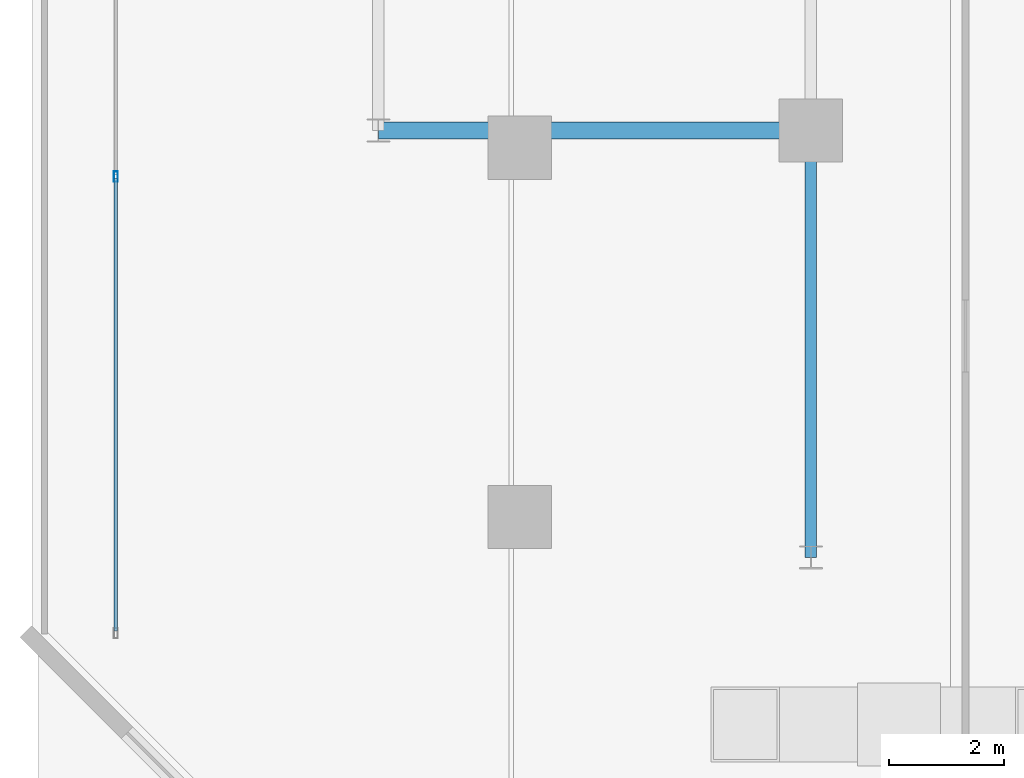
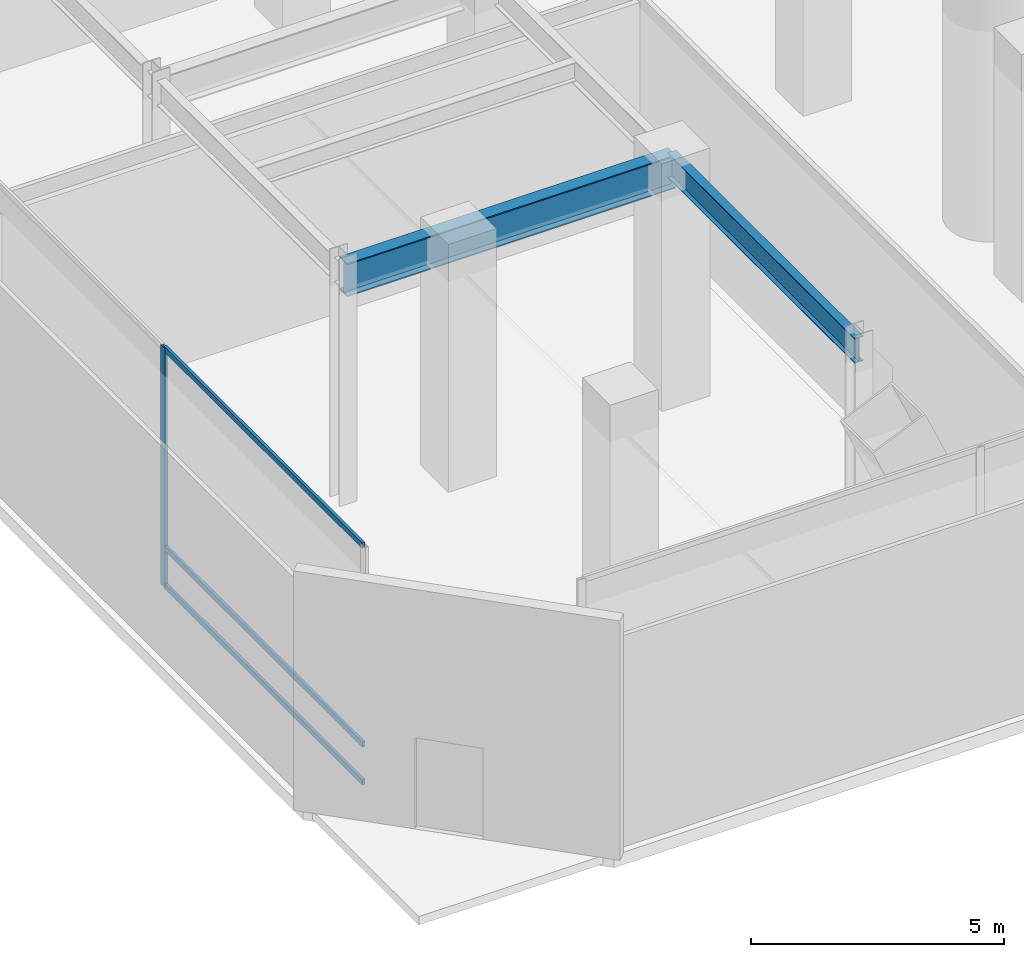
# One storey, part 6 of 40: 4 members, 2 beams, 1 element without a shape of its own.
"""IFC4 building model written with IfcOpenShell, lengths in metres."""

from ifc_helpers import new_model, si_unit, direction, frame, origin, origin_2d, place, context, subcontext, project, spatial, hollow_rectangle, i_section, extrude, material, layer, layer_set, material_profile, profile_set, type_object, element, aggregate, save


model = new_model("IFC4")

# Units and contexts
model_context = context("Model", 3, precision=1e-05, world=origin(), true_north=direction((0.0, 1.0)))
body_context = subcontext(model_context, "Body", "Model", "MODEL_VIEW")
ifc_project = project(units=[si_unit("LENGTHUNIT", "METRE"), si_unit("AREAUNIT", "SQUARE_METRE"), si_unit("VOLUMEUNIT", "CUBIC_METRE"), si_unit("PLANEANGLEUNIT", "RADIAN"), si_unit("MASSUNIT", "GRAM", prefix="KILO")], contexts=[model_context])

# Site, building, storey
site_placement = place(None, origin())
site = spatial("IfcSite", under=ifc_project, at=site_placement, CompositionType="ELEMENT")
building_placement = place(site_placement, origin())
building = spatial("IfcBuilding", under=site, at=building_placement, Name="Qianvela Tower", CompositionType="ELEMENT")
storey_placement = place(building_placement, origin())
storey = spatial("IfcBuildingStorey", under=building, at=storey_placement, Name="L00", CompositionType="ELEMENT", Elevation=0.0)

# Beams
ifc_material_1 = material(Name="Steel Q355B", Category="steel")
ifc_material_profile_1 = material_profile(ifc_material_1, i_section(OverallWidth=0.199951171875, OverallDepth=0.60009765625, WebThickness=0.010986328125, FlangeThickness=0.01708984375, at=origin_2d()), Name="HN600x200x11x17")
ifc_profile_set_1 = profile_set([ifc_material_profile_1], Name="Steel Q355B")
beam_type_1 = type_object("IfcBeamType", Name="BM-HN600-GIRD", PredefinedType="BEAM", material=ifc_profile_set_1)
beam_1_placement = place(storey_placement, frame((15.0, 7.39990234375, 5.47802734375), z_axis=(0.0, 1.0, 0.0), x_axis=(-1.0, 0.0, 0.0)))
element("IfcBeam", 1, at=beam_1_placement, inside=storey, type_object=beam_type_1, Name="L00 North-South Grid Girder 19", PredefinedType="BEAM", context=body_context, shape_type="SweptSolid", body=[
    extrude(i_section(OverallWidth=0.199951171875, OverallDepth=0.60009765625, WebThickness=0.010986328125, FlangeThickness=0.01708984375, at=origin_2d()), origin(), (0.0, 0.0, 1.0), 7.400146484375),
])
ifc_material_2 = material(Name="Steel Q355B", Category="steel")
ifc_material_profile_2 = material_profile(ifc_material_2, i_section(OverallWidth=0.300048828125, OverallDepth=0.800048828125, WebThickness=0.013916015625, FlangeThickness=0.02587890625, at=origin_2d()), Name="HN800x300x14x26")
ifc_profile_set_2 = profile_set([ifc_material_profile_2], Name="Steel Q355B")
beam_type_2 = type_object("IfcBeamType", Name="BM-HN800-SPAND", PredefinedType="SPANDREL", material=ifc_profile_set_2)
beam_2_placement = place(storey_placement, frame((7.5, 14.800048828125, 5.3779296875), z_axis=(1.0, 0.0, 0.0), x_axis=(0.0, 1.0, 0.0)))
element("IfcBeam", 2, at=beam_2_placement, inside=storey, type_object=beam_type_2, Name="L00 East-West Grid Girder 1", PredefinedType="SPANDREL", context=body_context, shape_type="SweptSolid", body=[
    extrude(i_section(OverallWidth=0.300048828125, OverallDepth=0.800048828125, WebThickness=0.013916015625, FlangeThickness=0.02587890625, at=origin_2d()), origin(), (0.0, 0.0, 1.0), 7.5),
])

# Curtain wall, members
ifc_material_3 = material(Name="Anodised Architectural Aluminium and Low-E Glass", Category="aluminium")
ifc_layer = layer(ifc_material_3, 0.199951171875)
ifc_layer_set = layer_set([ifc_layer], Name="Anodised Architectural Aluminium and Low-E Glass")
curtain_wall_type = type_object("IfcCurtainWallType", Name="CW-CONCOURSE", PredefinedType="USERDEFINED", material=ifc_layer_set)
curtain_wall_placement = place(storey_placement, origin())
curtain_wall = element("IfcCurtainWall", 3, at=curtain_wall_placement, inside=storey, type_object=curtain_wall_type, Name="L00 CW-CONCOURSE Curtain Wall 07B", ObjectType="CURTAIN_WALL_SYSTEM", PredefinedType="USERDEFINED")
ifc_material_4 = material(Name="Anodised Architectural Aluminium 6063-T6", Category="aluminium")
ifc_material_profile_3 = material_profile(ifc_material_4, hollow_rectangle(XDim=0.070068359375, YDim=0.179931640625, WallThickness=0.0048828125, at=origin_2d()), Name="ALU-MULL-70x180")
ifc_profile_set_3 = profile_set([ifc_material_profile_3], Name="Anodised Architectural Aluminium 6063-T6")
member_type_1 = type_object("IfcMemberType", Name="CW-CONCOURSE-MULL", PredefinedType="MULLION", material=ifc_profile_set_3)
member_1_placement = place(storey_placement, frame((2.949951171875, 14.0, 0.0), z_axis=(0.0, 0.0, 1.0), x_axis=(1.0, 0.0, 0.0)))
member_1 = element("IfcMember", 4, at=member_1_placement, type_object=member_type_1, Name="CW-1 mullion 2", PredefinedType="MULLION", context=body_context, shape_type="SweptSolid", body=[
    extrude(hollow_rectangle(XDim=0.070068359375, YDim=0.179931640625, WallThickness=0.0048828125, at=origin_2d()), origin(), (0.0, 0.0, 1.0), 5.780029296875),
])
ifc_material_5 = material(Name="Anodised Architectural Aluminium 6063-T6", Category="aluminium")
ifc_material_profile_4 = material_profile(ifc_material_5, hollow_rectangle(XDim=0.06494140625, YDim=0.1298828125, WallThickness=0.00439453125, at=origin_2d()), Name="ALU-TRAN-65x130")
ifc_profile_set_4 = profile_set([ifc_material_profile_4], Name="Anodised Architectural Aluminium 6063-T6")
member_type_2 = type_object("IfcMemberType", Name="CW-CONCOURSE-TRAN", PredefinedType="USERDEFINED", material=ifc_profile_set_4)
member_2_placement = place(storey_placement, frame((2.949951171875, 13.965087890625, 0.032470703125), z_axis=(0.0, -1.0, 0.0), x_axis=(1.0, 0.0, 0.0)))
member_2 = element("IfcMember", 5, at=member_2_placement, type_object=member_type_2, Name="CW-1 transom 2.1", ObjectType="TRANSOM", PredefinedType="USERDEFINED", context=body_context, shape_type="SweptSolid", body=[
    extrude(hollow_rectangle(XDim=0.06494140625, YDim=0.1298828125, WallThickness=0.00439453125, at=origin_2d()), origin(), (0.0, 0.0, 1.0), 7.844970703125),
])
member_3_placement = place(storey_placement, frame((2.949951171875, 13.965087890625, 0.949951171875), z_axis=(0.0, -1.0, 0.0), x_axis=(1.0, 0.0, 0.0)))
member_3 = element("IfcMember", 6, at=member_3_placement, type_object=member_type_2, Name="CW-1 transom 2.2", ObjectType="TRANSOM", PredefinedType="USERDEFINED", context=body_context, shape_type="SweptSolid", body=[
    extrude(hollow_rectangle(XDim=0.06494140625, YDim=0.1298828125, WallThickness=0.00439453125, at=origin_2d()), origin(), (0.0, 0.0, 1.0), 7.844970703125),
])
member_4_placement = place(storey_placement, frame((2.949951171875, 13.965087890625, 5.74755859375), z_axis=(0.0, -1.0, 0.0), x_axis=(1.0, 0.0, 0.0)))
member_4 = element("IfcMember", 7, at=member_4_placement, type_object=member_type_2, Name="CW-1 transom 2.3", ObjectType="TRANSOM", PredefinedType="USERDEFINED", context=body_context, shape_type="SweptSolid", body=[
    extrude(hollow_rectangle(XDim=0.06494140625, YDim=0.1298828125, WallThickness=0.00439453125, at=origin_2d()), origin(), (0.0, 0.0, 1.0), 7.844970703125),
])
aggregate(curtain_wall, [member_1, member_2, member_3, member_4])

save(model, "model.ifc")
